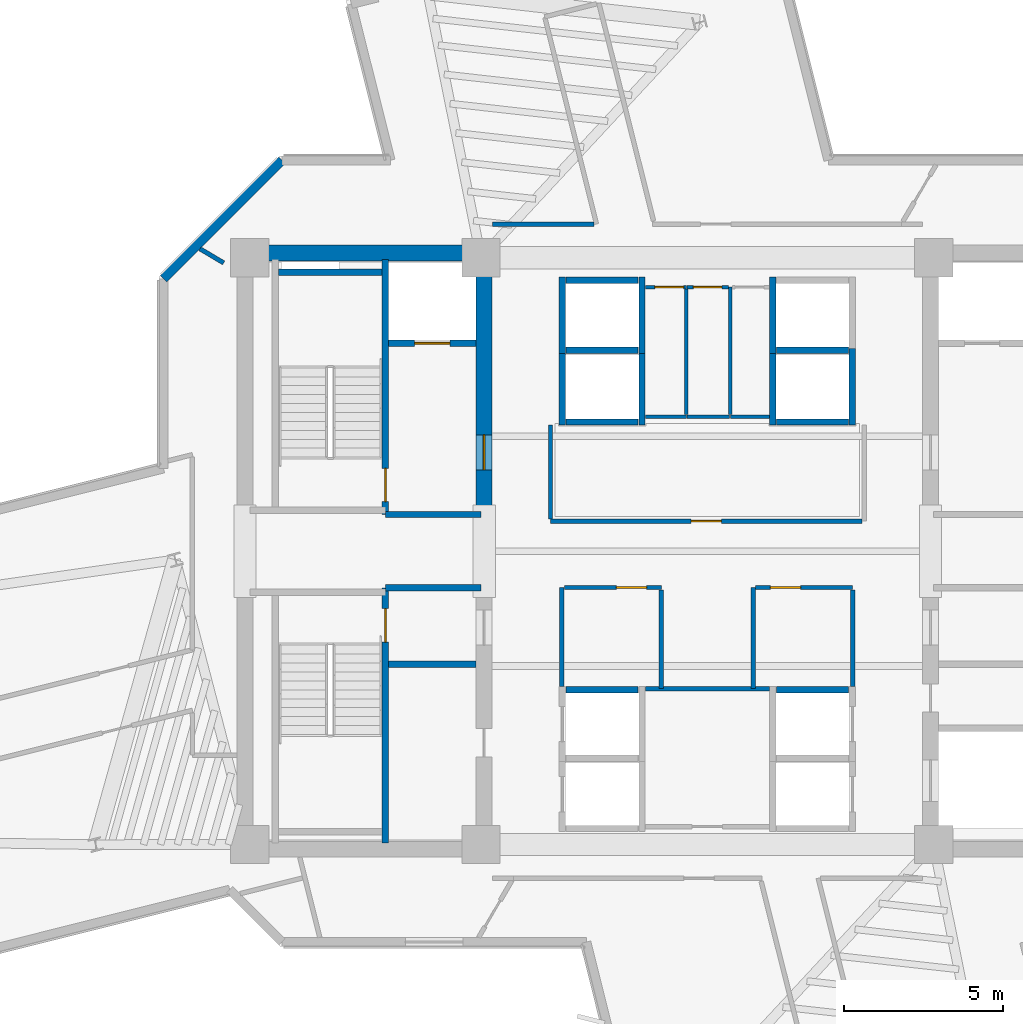
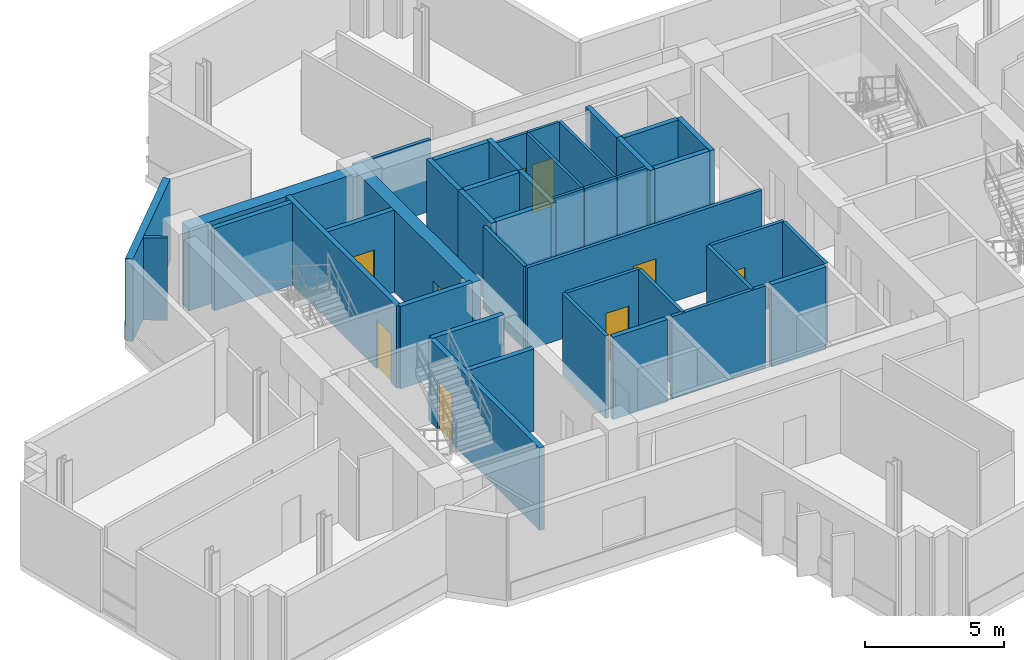
# One storey, part 7 of 13: 42 walls, 9 doors, 9 openings.
"""IFC4 building model written with IfcOpenShell, lengths in metres."""

from ifc_helpers import new_model, si_unit, direction, frame, frame_2d, origin, place, context, subcontext, project, spatial, rectangle, extrude, source, transform, mapped, material, layer, layer_set, type_object, element, fill, save


model = new_model("IFC4")

# Units and contexts
model_context = context("Model", 3, precision=1e-05, world=origin(), true_north=direction((0.0, 1.0)))
body_context = subcontext(model_context, "Body", "Model", "MODEL_VIEW")
ifc_project = project(units=[si_unit("LENGTHUNIT", "METRE"), si_unit("AREAUNIT", "SQUARE_METRE"), si_unit("VOLUMEUNIT", "CUBIC_METRE"), si_unit("PLANEANGLEUNIT", "RADIAN"), si_unit("MASSUNIT", "GRAM", prefix="KILO")], contexts=[model_context])

# Site, building, storey
site_placement = place(None, origin())
site = spatial("IfcSite", under=ifc_project, at=site_placement, CompositionType="ELEMENT")
building_placement = place(site_placement, origin())
building = spatial("IfcBuilding", under=site, at=building_placement, Name="Zahravan Cultural Tower", CompositionType="ELEMENT")
storey_placement = place(building_placement, frame((0.0, 0.0, 190.199951171875)))
storey = spatial("IfcBuildingStorey", under=building, at=storey_placement, Name="L44", CompositionType="ELEMENT", Elevation=190.199951171875)

# Wall, opening, door
ifc_material_1 = material(Name="Concrete C60/75", Category="concrete")
ifc_layer_1 = layer(ifc_material_1, 0.5)
ifc_layer_set_1 = layer_set([ifc_layer_1], Name="Concrete C60/75")
wall_type_1 = type_object("IfcWallType", Name="CW-SHEAR-500-C60", PredefinedType="SHEAR", material=ifc_layer_set_1)
wall_1_placement = place(storey_placement, frame((29.0, 28.050048828125, 0.0), z_axis=(0.0, 0.0, 1.0), x_axis=(0.0, 1.0, 0.0)))
wall_1 = element("IfcWall", 1, at=wall_1_placement, inside=storey, type_object=wall_type_1, Name="L44 Core Shear Wall CW-W-EN-L44", PredefinedType="SHEAR", context=body_context, shape_type="SweptSolid", body=[
    extrude(rectangle(XDim=8.550048828125, YDim=0.5, at=frame_2d((4.27490234375, 0.0))), origin(), (0.0, 0.0, 1.0), 3.6201171875),
])
opening_1_placement = place(wall_1_placement, frame((1.5, 0.0, 0.0)))
opening_1 = element("IfcOpeningElement", 2, at=opening_1_placement, cuts=wall_1, Name="Opening D-L44-05", PredefinedType="OPENING", context=body_context, shape_type="SweptSolid", body=[
    extrude(rectangle(XDim=1.10009765625, YDim=2.199951171875, at=frame_2d((0.550048828125, 1.10009765625))), frame((0.0, 0.260009765625, 0.0), z_axis=(0.0, -1.0, 0.0), x_axis=(1.0, 0.0, 0.0)), (0.0, 0.0, 1.0), 0.52001953125),
])
ifc_material_2 = material(Name="Steel ASTM A572 Grade 50", Category="steel")
door_type_1 = type_object("IfcDoorType", Name="DR-LOBBY-1100", OperationType="NOTDEFINED", PredefinedType="DOOR", material=ifc_material_2)
shared_shape_1 = source(origin(), body_context, "Body", "SweptSolid", [
    extrude(rectangle(XDim=1.10009765625, YDim=2.199951171875, at=frame_2d((0.550048828125, 1.10009765625))), frame((0.0, 0.02490234375, 0.0), z_axis=(0.0, -1.0, 0.0), x_axis=(1.0, 0.0, 0.0)), (0.0, 0.0, 1.0), 0.050048828125),
])
door_1_placement = place(opening_1_placement, origin())
door_1 = element("IfcDoor", 3, at=door_1_placement, inside=storey, type_object=door_type_1, Name="L44 Door D-L44-05", OperationType="SINGLE_SWING_RIGHT", OverallHeight=2.199951171875, OverallWidth=1.10009765625, PredefinedType="DOOR", context=body_context, shape_type="MappedRepresentation", body=[
    mapped(shared_shape_1, transform((0.0, 0.0, 0.0), x_axis=(1.0, 0.0, 0.0), y_axis=(0.0, 1.0, 0.0), z_axis=(0.0, 0.0, 1.0), scale=1.0)),
])
fill(opening_1, door_1)

ifc_material_3 = material(Name="Gypsum plasterboard partition")
ifc_layer_2 = layer(ifc_material_3, 0.139892578125)
ifc_layer_set_2 = layer_set([ifc_layer_2], Name="Gypsum plasterboard partition")
wall_type_2 = type_object("IfcWallType", Name="W-PART-140", PredefinedType="PARTITIONING", material=ifc_layer_set_2)
wall_2_placement = place(storey_placement, frame((31.514892578125, 25.860107421875, 0.0), z_axis=(0.0, 0.0, 1.0), x_axis=(1.0, 0.0, 0.0)))
wall_2 = element("IfcWall", 4, at=wall_2_placement, inside=storey, type_object=wall_type_2, Name="L44 Interior Wall 063", PredefinedType="PARTITIONING", context=body_context, shape_type="SweptSolid", body=[
    extrude(rectangle(XDim=3.045166015625, YDim=0.139892578125, at=frame_2d((1.5224609375, 0.0))), origin(), (0.0, 0.0, 1.0), 3.6201171875),
])
opening_2_placement = place(wall_2_placement, frame((1.634033203125, 0.0, 0.0)))
opening_2 = element("IfcOpeningElement", 5, at=opening_2_placement, cuts=wall_2, Name="Opening D-L44-11", PredefinedType="OPENING", context=body_context, shape_type="SweptSolid", body=[
    extrude(rectangle(XDim=0.949951171875, YDim=2.14990234375, at=frame_2d((0.47509765625, 1.074951171875))), frame((0.0, 0.079833984375, 0.0), z_axis=(0.0, -1.0, 0.0), x_axis=(1.0, 0.0, 0.0)), (0.0, 0.0, 1.0), 0.159912109375),
])
ifc_material_4 = material(Name="Anodised bronze-aluminium mullion", Category="aluminium")
door_type_2 = type_object("IfcDoorType", Name="DR-ROOM-950", OperationType="NOTDEFINED", PredefinedType="DOOR", material=ifc_material_4)
shared_shape_2 = source(origin(), body_context, "Body", "SweptSolid", [
    extrude(rectangle(XDim=0.949951171875, YDim=2.14990234375, at=frame_2d((0.47509765625, 1.074951171875))), frame((0.0, 0.02490234375, 0.0), z_axis=(0.0, -1.0, 0.0), x_axis=(1.0, 0.0, 0.0)), (0.0, 0.0, 1.0), 0.050048828125),
])
door_2_placement = place(opening_2_placement, origin())
door_2 = element("IfcDoor", 6, at=door_2_placement, inside=storey, type_object=door_type_2, Name="L44 Door D-L44-11", OperationType="SINGLE_SWING_RIGHT", OverallHeight=2.14990234375, OverallWidth=0.949951171875, PredefinedType="DOOR", context=body_context, shape_type="MappedRepresentation", body=[
    mapped(shared_shape_2, transform((0.0, 0.0, 0.0), x_axis=(1.0, 0.0, 0.0), y_axis=(0.0, 1.0, 0.0), z_axis=(0.0, 0.0, 1.0), scale=1.0)),
])
fill(opening_2, door_2)

wall_3_placement = place(storey_placement, frame((37.514892578125, 25.860107421875, 0.0), z_axis=(0.0, 0.0, 1.0), x_axis=(1.0, 0.0, 0.0)))
wall_3 = element("IfcWall", 7, at=wall_3_placement, inside=storey, type_object=wall_type_2, Name="L44 Interior Wall 066", PredefinedType="PARTITIONING", context=body_context, shape_type="SweptSolid", body=[
    extrude(rectangle(XDim=3.045166015625, YDim=0.139892578125, at=frame_2d((1.5224609375, 0.0))), origin(), (0.0, 0.0, 1.0), 3.6201171875),
])
opening_3_placement = place(wall_3_placement, frame((0.4609375, 0.0, 0.0)))
opening_3 = element("IfcOpeningElement", 8, at=opening_3_placement, cuts=wall_3, Name="Opening D-L44-12", PredefinedType="OPENING", context=body_context, shape_type="SweptSolid", body=[
    extrude(rectangle(XDim=0.949951171875, YDim=2.14990234375, at=frame_2d((0.47509765625, 1.074951171875))), frame((0.0, 0.079833984375, 0.0), z_axis=(0.0, -1.0, 0.0), x_axis=(1.0, 0.0, 0.0)), (0.0, 0.0, 1.0), 0.159912109375),
])
door_3_placement = place(opening_3_placement, origin())
door_3 = element("IfcDoor", 9, at=door_3_placement, inside=storey, type_object=door_type_2, Name="L44 Door D-L44-12", OperationType="SINGLE_SWING_LEFT", OverallHeight=2.14990234375, OverallWidth=0.949951171875, PredefinedType="DOOR", context=body_context, shape_type="MappedRepresentation", body=[
    mapped(shared_shape_2, transform((0.0, 0.0, 0.0), x_axis=(1.0, 0.0, 0.0), y_axis=(0.0, 1.0, 0.0), z_axis=(0.0, 0.0, 1.0), scale=1.0)),
])
fill(opening_3, door_3)

wall_4_placement = place(storey_placement, frame((40.844970703125, 27.93994140625, 0.0), z_axis=(0.0, 0.0, 1.0), x_axis=(-1.0, 0.0, 0.0)))
wall_4 = element("IfcWall", 10, at=wall_4_placement, inside=storey, type_object=wall_type_2, Name="L44 Interior Wall 077", PredefinedType="PARTITIONING", context=body_context, shape_type="SweptSolid", body=[
    extrude(rectangle(XDim=9.764892578125, YDim=0.139892578125, at=frame_2d((4.88232421875, 0.0))), origin(), (0.0, 0.0, 1.0), 3.6201171875),
])
opening_4_placement = place(wall_4_placement, frame((4.407470703125, 0.0, 0.0)))
opening_4 = element("IfcOpeningElement", 11, at=opening_4_placement, cuts=wall_4, Name="Opening D-L44-16", PredefinedType="OPENING", context=body_context, shape_type="SweptSolid", body=[
    extrude(rectangle(XDim=0.949951171875, YDim=2.14990234375, at=frame_2d((0.47509765625, 1.074951171875))), frame((0.0, 0.079833984375, 0.0), z_axis=(0.0, -1.0, 0.0), x_axis=(1.0, 0.0, 0.0)), (0.0, 0.0, 1.0), 0.159912109375),
])
door_4_placement = place(opening_4_placement, origin())
door_4 = element("IfcDoor", 12, at=door_4_placement, inside=storey, type_object=door_type_2, Name="L44 Door D-L44-16", OperationType="SINGLE_SWING_LEFT", OverallHeight=2.14990234375, OverallWidth=0.949951171875, PredefinedType="DOOR", context=body_context, shape_type="MappedRepresentation", body=[
    mapped(shared_shape_2, transform((0.0, 0.0, 0.0), x_axis=(1.0, 0.0, 0.0), y_axis=(0.0, 1.0, 0.0), z_axis=(0.0, 0.0, 1.0), scale=1.0)),
])
fill(opening_4, door_4)

ifc_material_5 = material(Name="Concrete C45/55", Category="concrete")
ifc_layer_3 = layer(ifc_material_5, 0.199951171875)
ifc_layer_set_3 = layer_set([ifc_layer_3], Name="Concrete C45/55")
wall_type_3 = type_object("IfcWallType", Name="W-SHAFT-200", PredefinedType="SOLIDWALL", material=ifc_layer_set_3)
wall_5_placement = place(storey_placement, frame((25.89990234375, 17.85009765625, 0.0), z_axis=(0.0, 0.0, 1.0), x_axis=(0.0, 1.0, 0.0)))
wall_5 = element("IfcWall", 13, at=wall_5_placement, inside=storey, type_object=wall_type_3, Name="L44 Interior Wall 005", PredefinedType="SOLIDWALL", context=body_context, shape_type="SweptSolid", body=[
    extrude(rectangle(XDim=8.0, YDim=0.199951171875, at=frame_2d((4.0, 0.0))), origin(), (0.0, 0.0, 1.0), 3.6201171875),
])
opening_5_placement = place(wall_5_placement, frame((6.300048828125, 0.0, 0.0)))
opening_5 = element("IfcOpeningElement", 14, at=opening_5_placement, cuts=wall_5, Name="Opening D-L44-04", PredefinedType="OPENING", context=body_context, shape_type="SweptSolid", body=[
    extrude(rectangle(XDim=1.050048828125, YDim=2.14990234375, at=frame_2d((0.52490234375, 1.074951171875))), frame((0.0, 0.10986328125, 0.0), z_axis=(0.0, -1.0, 0.0), x_axis=(1.0, 0.0, 0.0)), (0.0, 0.0, 1.0), 0.219970703125),
])
door_type_3 = type_object("IfcDoorType", Name="DR-STAIR-1050", OperationType="NOTDEFINED", PredefinedType="DOOR", material=ifc_material_2)
shared_shape_3 = source(origin(), body_context, "Body", "SweptSolid", [
    extrude(rectangle(XDim=1.050048828125, YDim=2.14990234375, at=frame_2d((0.52490234375, 1.074951171875))), frame((0.0, 0.02490234375, 0.0), z_axis=(0.0, -1.0, 0.0), x_axis=(1.0, 0.0, 0.0)), (0.0, 0.0, 1.0), 0.050048828125),
])
door_5_placement = place(opening_5_placement, origin())
door_5 = element("IfcDoor", 15, at=door_5_placement, inside=storey, type_object=door_type_3, Name="L44 Door D-L44-04", OperationType="SINGLE_SWING_LEFT", OverallHeight=2.14990234375, OverallWidth=1.050048828125, PredefinedType="DOOR", context=body_context, shape_type="MappedRepresentation", body=[
    mapped(shared_shape_3, transform((0.0, 0.0, 0.0), x_axis=(1.0, 0.0, 0.0), y_axis=(0.0, 1.0, 0.0), z_axis=(0.0, 0.0, 1.0), scale=1.0)),
])
fill(opening_5, door_5)

wall_6_placement = place(storey_placement, frame((25.89990234375, 28.14990234375, 0.0), z_axis=(0.0, 0.0, 1.0), x_axis=(0.0, 1.0, 0.0)))
wall_6 = element("IfcWall", 16, at=wall_6_placement, inside=storey, type_object=wall_type_3, Name="L44 Interior Wall 006", PredefinedType="SOLIDWALL", context=body_context, shape_type="SweptSolid", body=[
    extrude(rectangle(XDim=8.0, YDim=0.199951171875, at=frame_2d((4.0, 0.0))), origin(), (0.0, 0.0, 1.0), 3.6201171875),
])
opening_6_placement = place(wall_6_placement, frame((0.39990234375, 0.0, 0.0)))
opening_6 = element("IfcOpeningElement", 17, at=opening_6_placement, cuts=wall_6, Name="Opening D-L44-01", PredefinedType="OPENING", context=body_context, shape_type="SweptSolid", body=[
    extrude(rectangle(XDim=1.050048828125, YDim=2.14990234375, at=frame_2d((0.52490234375, 1.074951171875))), frame((0.0, 0.10986328125, 0.0), z_axis=(0.0, -1.0, 0.0), x_axis=(1.0, 0.0, 0.0)), (0.0, 0.0, 1.0), 0.219970703125),
])
door_6_placement = place(opening_6_placement, origin())
door_6 = element("IfcDoor", 18, at=door_6_placement, inside=storey, type_object=door_type_3, Name="L44 Door D-L44-01", OperationType="SINGLE_SWING_RIGHT", OverallHeight=2.14990234375, OverallWidth=1.050048828125, PredefinedType="DOOR", context=body_context, shape_type="MappedRepresentation", body=[
    mapped(shared_shape_3, transform((0.0, 0.0, 0.0), x_axis=(1.0, 0.0, 0.0), y_axis=(0.0, 1.0, 0.0), z_axis=(0.0, 0.0, 1.0), scale=1.0)),
])
fill(opening_6, door_6)

wall_7_placement = place(storey_placement, frame((26.0, 33.52001953125, 0.0), z_axis=(0.0, 0.0, 1.0), x_axis=(1.0, 0.0, 0.0)))
wall_7 = element("IfcWall", 19, at=wall_7_placement, inside=storey, type_object=wall_type_3, Name="L44 Interior Wall 021", PredefinedType="SOLIDWALL", context=body_context, shape_type="SweptSolid", body=[
    extrude(rectangle(XDim=2.75, YDim=0.199951171875, at=frame_2d((1.375, 0.0))), origin(), (0.0, 0.0, 1.0), 3.6201171875),
])
opening_7_placement = place(wall_7_placement, frame((0.820068359375, 0.0, 0.0)))
opening_7 = element("IfcOpeningElement", 20, at=opening_7_placement, cuts=wall_7, Name="Opening LD-L44-01", PredefinedType="OPENING", context=body_context, shape_type="SweptSolid", body=[
    extrude(rectangle(XDim=1.10009765625, YDim=2.14990234375, at=frame_2d((0.550048828125, 1.074951171875))), frame((0.0, 0.10986328125, 0.0), z_axis=(0.0, -1.0, 0.0), x_axis=(1.0, 0.0, 0.0)), (0.0, 0.0, 1.0), 0.219970703125),
])
door_type_4 = type_object("IfcDoorType", Name="DR-LIFT-1100", OperationType="DOUBLE_DOOR_SLIDING", PredefinedType="DOOR", material=ifc_material_2)
shared_shape_4 = source(origin(), body_context, "Body", "SweptSolid", [
    extrude(rectangle(XDim=1.10009765625, YDim=2.14990234375, at=frame_2d((0.550048828125, 1.074951171875))), frame((0.0, 0.02490234375, 0.0), z_axis=(0.0, -1.0, 0.0), x_axis=(1.0, 0.0, 0.0)), (0.0, 0.0, 1.0), 0.050048828125),
])
door_7_placement = place(opening_7_placement, origin())
door_7 = element("IfcDoor", 21, at=door_7_placement, inside=storey, type_object=door_type_4, Name="L44 Door LD-L44-01", OperationType="DOUBLE_DOOR_SLIDING", OverallHeight=2.14990234375, OverallWidth=1.10009765625, PredefinedType="DOOR", context=body_context, shape_type="MappedRepresentation", body=[
    mapped(shared_shape_4, transform((0.0, 0.0, 0.0), x_axis=(1.0, 0.0, 0.0), y_axis=(0.0, 1.0, 0.0), z_axis=(0.0, 0.0, 1.0), scale=1.0)),
])
fill(opening_7, door_7)

ifc_layer_4 = layer(ifc_material_3, 0.114990234375)
ifc_layer_set_4 = layer_set([ifc_layer_4], Name="Gypsum plasterboard partition")
wall_type_4 = type_object("IfcWallType", Name="W-WC-115", PredefinedType="PARTITIONING", material=ifc_layer_set_4)
wall_8_placement = place(storey_placement, frame((34.054931640625, 35.280029296875, 0.0), z_axis=(0.0, 0.0, 1.0), x_axis=(1.0, 0.0, 0.0)))
wall_8 = element("IfcWall", 22, at=wall_8_placement, inside=storey, type_object=wall_type_4, Name="L44 Interior Wall 058", PredefinedType="PARTITIONING", context=body_context, shape_type="SweptSolid", body=[
    extrude(rectangle(XDim=1.28515625, YDim=0.114990234375, at=frame_2d((0.642578125, 0.0))), origin(), (0.0, 0.0, 1.0), 3.6201171875),
])
opening_8_placement = place(wall_8_placement, frame((0.30029296875, 0.0, 0.0)))
opening_8 = element("IfcOpeningElement", 23, at=opening_8_placement, cuts=wall_8, Name="Opening D-L44-13", PredefinedType="OPENING", context=body_context, shape_type="SweptSolid", body=[
    extrude(rectangle(XDim=0.89990234375, YDim=2.10009765625, at=frame_2d((0.449951171875, 1.050048828125))), frame((0.0, 0.0673828125, 0.0), z_axis=(0.0, -1.0, 0.0), x_axis=(1.0, 0.0, 0.0)), (0.0, 0.0, 1.0), 0.135009765625),
])
door_type_5 = type_object("IfcDoorType", Name="DR-WC-900", OperationType="NOTDEFINED", PredefinedType="DOOR", material=ifc_material_4)
shared_shape_5 = source(origin(), body_context, "Body", "SweptSolid", [
    extrude(rectangle(XDim=0.89990234375, YDim=2.10009765625, at=frame_2d((0.449951171875, 1.050048828125))), frame((0.0, 0.02490234375, 0.0), z_axis=(0.0, -1.0, 0.0), x_axis=(1.0, 0.0, 0.0)), (0.0, 0.0, 1.0), 0.050048828125),
])
door_8_placement = place(opening_8_placement, origin())
door_8 = element("IfcDoor", 24, at=door_8_placement, inside=storey, type_object=door_type_5, Name="L44 Door D-L44-13", OperationType="SINGLE_SWING_RIGHT", OverallHeight=2.10009765625, OverallWidth=0.89990234375, PredefinedType="DOOR", context=body_context, shape_type="MappedRepresentation", body=[
    mapped(shared_shape_5, transform((0.0, 0.0, 0.0), x_axis=(1.0, 0.0, 0.0), y_axis=(0.0, 1.0, 0.0), z_axis=(0.0, 0.0, 1.0), scale=1.0)),
])
fill(opening_8, door_8)

wall_9_placement = place(storey_placement, frame((35.360107421875, 35.280029296875, 0.0), z_axis=(0.0, 0.0, 1.0), x_axis=(1.0, 0.0, 0.0)))
wall_9 = element("IfcWall", 25, at=wall_9_placement, inside=storey, type_object=wall_type_4, Name="L44 Interior Wall 061", PredefinedType="PARTITIONING", context=body_context, shape_type="SweptSolid", body=[
    extrude(rectangle(XDim=1.29736328125, YDim=0.114990234375, at=frame_2d((0.648681640625, 0.0))), origin(), (0.0, 0.0, 1.0), 3.6201171875),
])
opening_9_placement = place(wall_9_placement, frame((0.19873046875, 0.0, 0.0)))
opening_9 = element("IfcOpeningElement", 26, at=opening_9_placement, cuts=wall_9, Name="Opening D-L44-14", PredefinedType="OPENING", context=body_context, shape_type="SweptSolid", body=[
    extrude(rectangle(XDim=0.89990234375, YDim=2.10009765625, at=frame_2d((0.449951171875, 1.050048828125))), frame((0.0, 0.0673828125, 0.0), z_axis=(0.0, -1.0, 0.0), x_axis=(1.0, 0.0, 0.0)), (0.0, 0.0, 1.0), 0.135009765625),
])
door_9_placement = place(opening_9_placement, origin())
door_9 = element("IfcDoor", 27, at=door_9_placement, inside=storey, type_object=door_type_5, Name="L44 Door D-L44-14", OperationType="SINGLE_SWING_LEFT", OverallHeight=2.10009765625, OverallWidth=0.89990234375, PredefinedType="DOOR", context=body_context, shape_type="MappedRepresentation", body=[
    mapped(shared_shape_5, transform((0.0, 0.0, 0.0), x_axis=(1.0, 0.0, 0.0), y_axis=(0.0, 1.0, 0.0), z_axis=(0.0, 0.0, 1.0), scale=1.0)),
])
fill(opening_9, door_9)

# Walls
shared_shape_6 = source(origin(), body_context, "Body", "SweptSolid", [
    extrude(rectangle(XDim=7.0, YDim=0.5, at=frame_2d((3.5, 0.0))), origin(), (0.0, 0.0, 1.0), 3.6201171875),
])
wall_10_placement = place(storey_placement, frame((21.75, 36.35009765625, 0.0), z_axis=(0.0, 0.0, 1.0), x_axis=(1.0, 0.0, 0.0)))
element("IfcWall", 28, at=wall_10_placement, inside=storey, type_object=wall_type_1, Name="L44 Core Shear Wall CW-W-N-L44", PredefinedType="SHEAR", context=body_context, shape_type="MappedRepresentation", body=[
    mapped(shared_shape_6, transform((0.0, 0.0, 0.0), x_axis=(1.0, 0.0, 0.0), y_axis=(0.0, 1.0, 0.0), z_axis=(0.0, 0.0, 1.0), scale=1.0)),
])
ifc_material_6 = material(Name="Precast concrete C40/50", Category="concrete")
ifc_layer_5 = layer(ifc_material_6, 0.280029296875)
ifc_layer_set_5 = layer_set([ifc_layer_5], Name="Precast concrete C40/50")
wall_type_5 = type_object("IfcWallType", Name="EW-TC-280", PredefinedType="SOLIDWALL", material=ifc_layer_set_5)
shared_shape_7 = source(origin(), body_context, "Body", "SweptSolid", [
    extrude(rectangle(XDim=5.258056640625, YDim=0.280029296875, at=frame_2d((2.62890625, 0.0))), origin(), (0.0, 0.0, 1.0), 3.6201171875),
])
wall_11_placement = place(storey_placement, frame((18.93994140625, 35.5419921875, 0.0), z_axis=(0.0, 0.0, 1.0), x_axis=(0.707106781187, 0.707106781187, 0.0)))
element("IfcWall", 29, at=wall_11_placement, inside=storey, type_object=wall_type_5, Name="L44 Exterior Masonry Frame Wall 38", PredefinedType="SOLIDWALL", context=body_context, shape_type="MappedRepresentation", body=[
    mapped(shared_shape_7, transform((0.0, 0.0, 0.0), x_axis=(1.0, 0.0, 0.0), y_axis=(0.0, 1.0, 0.0), z_axis=(0.0, 0.0, 1.0), scale=1.0)),
])
shared_shape_8 = source(origin(), body_context, "Body", "SweptSolid", [
    extrude(rectangle(XDim=3.0, YDim=0.199951171875, at=frame_2d((1.5, 0.0))), origin(), (0.0, 0.0, 1.0), 3.6201171875),
])
for number, where, z_axis, x_axis, name in (
    (30, (25.89990234375, 25.85009765625, 0.0), (0.0, 0.0, 1.0), (1.0, 0.0, 0.0), "L44 Interior Wall 010"),
    (31, (25.89990234375, 28.14990234375, 0.0), (0.0, 0.0, 1.0), (1.0, 0.0, 0.0), "L44 Interior Wall 012"),
):
    element("IfcWall", number, at=place(storey_placement, frame(where, z_axis=z_axis, x_axis=x_axis)), inside=storey, type_object=wall_type_3, Name=name, PredefinedType="SOLIDWALL", context=body_context, shape_type="MappedRepresentation", body=[
        mapped(shared_shape_8, transform((0.0, 0.0, 0.0), x_axis=(1.0, 0.0, 0.0), y_axis=(0.0, 1.0, 0.0), z_axis=(0.0, 0.0, 1.0), scale=1.0)),
    ])
shared_shape_9 = source(origin(), body_context, "Body", "SweptSolid", [
    extrude(rectangle(XDim=3.25, YDim=0.199951171875, at=frame_2d((1.625, 0.0))), origin(), (0.0, 0.0, 1.0), 3.6201171875),
])
wall_12_placement = place(storey_placement, frame((22.550048828125, 35.75, 0.0), z_axis=(0.0, 0.0, 1.0), x_axis=(1.0, 0.0, 0.0)))
element("IfcWall", 32, at=wall_12_placement, inside=storey, type_object=wall_type_3, Name="L44 Interior Wall 017", PredefinedType="SOLIDWALL", context=body_context, shape_type="MappedRepresentation", body=[
    mapped(shared_shape_9, transform((0.0, 0.0, 0.0), x_axis=(1.0, 0.0, 0.0), y_axis=(0.0, 1.0, 0.0), z_axis=(0.0, 0.0, 1.0), scale=1.0)),
])
shared_shape_10 = source(origin(), body_context, "Body", "SweptSolid", [
    extrude(rectangle(XDim=2.75, YDim=0.199951171875, at=frame_2d((1.375, 0.0))), origin(), (0.0, 0.0, 1.0), 3.6201171875),
])
wall_13_placement = place(storey_placement, frame((26.0, 23.449951171875, 0.0), z_axis=(0.0, 0.0, 1.0), x_axis=(1.0, 0.0, 0.0)))
element("IfcWall", 33, at=wall_13_placement, inside=storey, type_object=wall_type_3, Name="L44 Interior Wall 023", PredefinedType="SOLIDWALL", context=body_context, shape_type="MappedRepresentation", body=[
    mapped(shared_shape_10, transform((0.0, 0.0, 0.0), x_axis=(1.0, 0.0, 0.0), y_axis=(0.0, 1.0, 0.0), z_axis=(0.0, 0.0, 1.0), scale=1.0)),
])
shared_shape_11 = source(origin(), body_context, "Body", "SweptSolid", [
    extrude(rectangle(XDim=2.400146484375, YDim=0.199951171875, at=frame_2d((1.2001953125, 0.0))), origin(), (0.0, 0.0, 1.0), 3.6201171875),
])
for number, where, z_axis, x_axis, name in (
    (34, (31.449951171875, 33.199951171875, 0.0), (0.0, 0.0, 1.0), (0.0, 1.0, 0.0), "L44 Interior Wall 026"),
    (35, (33.949951171875, 33.199951171875, 0.0), (0.0, 0.0, 1.0), (0.0, 1.0, 0.0), "L44 Interior Wall 027"),
    (36, (31.449951171875, 30.949951171875, 0.0), (0.0, 0.0, 1.0), (0.0, 1.0, 0.0), "L44 Interior Wall 030"),
    (37, (33.949951171875, 30.949951171875, 0.0), (0.0, 0.0, 1.0), (0.0, 1.0, 0.0), "L44 Interior Wall 031"),
    (38, (38.050048828125, 33.199951171875, 0.0), (0.0, 0.0, 1.0), (0.0, 1.0, 0.0), "L44 Interior Wall 033"),
    (39, (38.050048828125, 30.949951171875, 0.0), (0.0, 0.0, 1.0), (0.0, 1.0, 0.0), "L44 Interior Wall 037"),
    (40, (40.550048828125, 30.949951171875, 0.0), (0.0, 0.0, 1.0), (0.0, 1.0, 0.0), "L44 Interior Wall 038"),
):
    element("IfcWall", number, at=place(storey_placement, frame(where, z_axis=z_axis, x_axis=x_axis)), inside=storey, type_object=wall_type_3, Name=name, PredefinedType="SOLIDWALL", context=body_context, shape_type="MappedRepresentation", body=[
        mapped(shared_shape_11, transform((0.0, 0.0, 0.0), x_axis=(1.0, 0.0, 0.0), y_axis=(0.0, 1.0, 0.0), z_axis=(0.0, 0.0, 1.0), scale=1.0)),
    ])
shared_shape_12 = source(origin(), body_context, "Body", "SweptSolid", [
    extrude(rectangle(XDim=2.260009765625, YDim=0.199951171875, at=frame_2d((1.1298828125, 0.0))), origin(), (0.0, 0.0, 1.0), 3.6201171875),
])
for number, where, z_axis, x_axis, name in (
    (41, (31.570068359375, 33.300048828125, 0.0), (0.0, 0.0, 1.0), (1.0, 0.0, 0.0), "L44 Interior Wall 028"),
    (42, (31.570068359375, 35.5, 0.0), (0.0, 0.0, 1.0), (1.0, 0.0, 0.0), "L44 Interior Wall 029"),
    (43, (31.570068359375, 31.050048828125, 0.0), (0.0, 0.0, 1.0), (1.0, 0.0, 0.0), "L44 Interior Wall 032"),
    (44, (38.169921875, 33.300048828125, 0.0), (0.0, 0.0, 1.0), (1.0, 0.0, 0.0), "L44 Interior Wall 035"),
    (45, (38.169921875, 31.050048828125, 0.0), (0.0, 0.0, 1.0), (1.0, 0.0, 0.0), "L44 Interior Wall 039"),
    (46, (31.570068359375, 22.64990234375, 0.0), (0.0, 0.0, 1.0), (1.0, 0.0, 0.0), "L44 Interior Wall 043"),
    (47, (38.169921875, 22.64990234375, 0.0), (0.0, 0.0, 1.0), (1.0, 0.0, 0.0), "L44 Interior Wall 050"),
):
    element("IfcWall", number, at=place(storey_placement, frame(where, z_axis=z_axis, x_axis=x_axis)), inside=storey, type_object=wall_type_3, Name=name, PredefinedType="SOLIDWALL", context=body_context, shape_type="MappedRepresentation", body=[
        mapped(shared_shape_12, transform((0.0, 0.0, 0.0), x_axis=(1.0, 0.0, 0.0), y_axis=(0.0, 1.0, 0.0), z_axis=(0.0, 0.0, 1.0), scale=1.0)),
    ])
shared_shape_13 = source(origin(), body_context, "Body", "SweptSolid", [
    extrude(rectangle(XDim=3.110107421875, YDim=0.139892578125, at=frame_2d((1.55517578125, 0.0))), origin(), (0.0, 0.0, 1.0), 3.6201171875),
])
wall_14_placement = place(storey_placement, frame((31.43994140625, 22.75, 0.0), z_axis=(0.0, 0.0, 1.0), x_axis=(0.0, 1.0, 0.0)))
element("IfcWall", 48, at=wall_14_placement, inside=storey, type_object=wall_type_2, Name="L44 Interior Wall 062", PredefinedType="PARTITIONING", context=body_context, shape_type="MappedRepresentation", body=[
    mapped(shared_shape_13, transform((0.0, 0.0, 0.0), x_axis=(1.0, 0.0, 0.0), y_axis=(0.0, 1.0, 0.0), z_axis=(0.0, 0.0, 1.0), scale=1.0)),
])
shared_shape_14 = source(origin(), body_context, "Body", "SweptSolid", [
    extrude(rectangle(XDim=3.034912109375, YDim=0.139892578125, at=frame_2d((1.517578125, 0.0))), origin(), (0.0, 0.0, 1.0), 3.6201171875),
])
wall_15_placement = place(storey_placement, frame((40.56005859375, 25.784912109375, 0.0), z_axis=(0.0, 0.0, 1.0), x_axis=(0.0, -1.0, 0.0)))
element("IfcWall", 49, at=wall_15_placement, inside=storey, type_object=wall_type_2, Name="L44 Interior Wall 067", PredefinedType="PARTITIONING", context=body_context, shape_type="MappedRepresentation", body=[
    mapped(shared_shape_14, transform((0.0, 0.0, 0.0), x_axis=(1.0, 0.0, 0.0), y_axis=(0.0, 1.0, 0.0), z_axis=(0.0, 0.0, 1.0), scale=1.0)),
])
shared_shape_15 = source(origin(), body_context, "Body", "SweptSolid", [
    extrude(rectangle(XDim=2.93505859375, YDim=0.139892578125, at=frame_2d((1.467529296875, 0.0))), origin(), (0.0, 0.0, 1.0), 3.6201171875),
])
wall_16_placement = place(storey_placement, frame((31.080078125, 28.014892578125, 0.0), z_axis=(0.0, 0.0, 1.0), x_axis=(0.0, 1.0, 0.0)))
element("IfcWall", 50, at=wall_16_placement, inside=storey, type_object=wall_type_2, Name="L44 Interior Wall 078", PredefinedType="PARTITIONING", context=body_context, shape_type="MappedRepresentation", body=[
    mapped(shared_shape_15, transform((0.0, 0.0, 0.0), x_axis=(1.0, 0.0, 0.0), y_axis=(0.0, 1.0, 0.0), z_axis=(0.0, 0.0, 1.0), scale=1.0)),
])
shared_shape_16 = source(origin(), body_context, "Body", "SweptSolid", [
    extrude(rectangle(XDim=1.22509765625, YDim=0.114990234375, at=frame_2d((0.612548828125, 0.0))), origin(), (0.0, 0.0, 1.0), 3.6201171875),
])
wall_17_placement = place(storey_placement, frame((37.945068359375, 31.219970703125, 0.0), z_axis=(0.0, 0.0, 1.0), x_axis=(-1.0, 0.0, 0.0)))
element("IfcWall", 51, at=wall_17_placement, inside=storey, type_object=wall_type_4, Name="L44 Interior Wall 054", PredefinedType="PARTITIONING", context=body_context, shape_type="MappedRepresentation", body=[
    mapped(shared_shape_16, transform((0.0, 0.0, 0.0), x_axis=(1.0, 0.0, 0.0), y_axis=(0.0, 1.0, 0.0), z_axis=(0.0, 0.0, 1.0), scale=1.0)),
])
shared_shape_17 = source(origin(), body_context, "Body", "SweptSolid", [
    extrude(rectangle(XDim=3.99755859375, YDim=0.114990234375, at=frame_2d((1.998779296875, 0.0))), origin(), (0.0, 0.0, 1.0), 3.6201171875),
])
wall_18_placement = place(storey_placement, frame((36.719970703125, 31.282470703125, 0.0), z_axis=(0.0, 0.0, 1.0), x_axis=(0.0, 1.0, 0.0)))
element("IfcWall", 52, at=wall_18_placement, inside=storey, type_object=wall_type_4, Name="L44 Interior Wall 055", PredefinedType="PARTITIONING", context=body_context, shape_type="MappedRepresentation", body=[
    mapped(shared_shape_17, transform((0.0, 0.0, 0.0), x_axis=(1.0, 0.0, 0.0), y_axis=(0.0, 1.0, 0.0), z_axis=(0.0, 0.0, 1.0), scale=1.0)),
])
shared_shape_18 = source(origin(), body_context, "Body", "SweptSolid", [
    extrude(rectangle(XDim=1.28515625, YDim=0.114990234375, at=frame_2d((0.642578125, 0.0))), origin(), (0.0, 0.0, 1.0), 3.6201171875),
])
wall_19_placement = place(storey_placement, frame((35.340087890625, 31.219970703125, 0.0), z_axis=(0.0, 0.0, 1.0), x_axis=(-1.0, 0.0, 0.0)))
element("IfcWall", 53, at=wall_19_placement, inside=storey, type_object=wall_type_4, Name="L44 Interior Wall 057", PredefinedType="PARTITIONING", context=body_context, shape_type="MappedRepresentation", body=[
    mapped(shared_shape_18, transform((0.0, 0.0, 0.0), x_axis=(1.0, 0.0, 0.0), y_axis=(0.0, 1.0, 0.0), z_axis=(0.0, 0.0, 1.0), scale=1.0)),
])
shared_shape_19 = source(origin(), body_context, "Body", "SweptSolid", [
    extrude(rectangle(XDim=3.93505859375, YDim=0.114990234375, at=frame_2d((1.967529296875, 0.0))), origin(), (0.0, 0.0, 1.0), 3.6201171875),
])
wall_20_placement = place(storey_placement, frame((35.340087890625, 35.217529296875, 0.0), z_axis=(0.0, 0.0, 1.0), x_axis=(0.0, -1.0, 0.0)))
element("IfcWall", 54, at=wall_20_placement, inside=storey, type_object=wall_type_4, Name="L44 Interior Wall 059", PredefinedType="PARTITIONING", context=body_context, shape_type="MappedRepresentation", body=[
    mapped(shared_shape_19, transform((0.0, 0.0, 0.0), x_axis=(1.0, 0.0, 0.0), y_axis=(0.0, 1.0, 0.0), z_axis=(0.0, 0.0, 1.0), scale=1.0)),
])
shared_shape_20 = source(origin(), body_context, "Body", "SweptSolid", [
    extrude(rectangle(XDim=1.33984375, YDim=0.114990234375, at=frame_2d((0.669921875, 0.0))), origin(), (0.0, 0.0, 1.0), 3.6201171875),
])
wall_21_placement = place(storey_placement, frame((36.699951171875, 31.219970703125, 0.0), z_axis=(0.0, 0.0, 1.0), x_axis=(-1.0, 0.0, 0.0)))
element("IfcWall", 55, at=wall_21_placement, inside=storey, type_object=wall_type_4, Name="L44 Interior Wall 060", PredefinedType="PARTITIONING", context=body_context, shape_type="MappedRepresentation", body=[
    mapped(shared_shape_20, transform((0.0, 0.0, 0.0), x_axis=(1.0, 0.0, 0.0), y_axis=(0.0, 1.0, 0.0), z_axis=(0.0, 0.0, 1.0), scale=1.0)),
])
shared_shape_21 = source(origin(), body_context, "Body", "SweptSolid", [
    extrude(rectangle(XDim=3.094970703125, YDim=0.139892578125, at=frame_2d((1.54736328125, 0.0))), origin(), (0.0, 0.0, 1.0), 3.6201171875),
])
wall_22_placement = place(storey_placement, frame((34.56005859375, 25.784912109375, 0.0), z_axis=(0.0, 0.0, 1.0), x_axis=(0.0, -1.0, 0.0)))
element("IfcWall", 56, at=wall_22_placement, inside=storey, type_object=wall_type_2, Name="L44 Interior Wall 064", PredefinedType="PARTITIONING", context=body_context, shape_type="MappedRepresentation", body=[
    mapped(shared_shape_21, transform((0.0, 0.0, 0.0), x_axis=(1.0, 0.0, 0.0), y_axis=(0.0, 1.0, 0.0), z_axis=(0.0, 0.0, 1.0), scale=1.0)),
])
shared_shape_22 = source(origin(), body_context, "Body", "SweptSolid", [
    extrude(rectangle(XDim=3.170166015625, YDim=0.139892578125, at=frame_2d((1.5849609375, 0.0))), origin(), (0.0, 0.0, 1.0), 3.6201171875),
])
wall_23_placement = place(storey_placement, frame((37.43994140625, 22.68994140625, 0.0), z_axis=(0.0, 0.0, 1.0), x_axis=(0.0, 1.0, 0.0)))
element("IfcWall", 57, at=wall_23_placement, inside=storey, type_object=wall_type_2, Name="L44 Interior Wall 065", PredefinedType="PARTITIONING", context=body_context, shape_type="MappedRepresentation", body=[
    mapped(shared_shape_22, transform((0.0, 0.0, 0.0), x_axis=(1.0, 0.0, 0.0), y_axis=(0.0, 1.0, 0.0), z_axis=(0.0, 0.0, 1.0), scale=1.0)),
])
shared_shape_23 = source(origin(), body_context, "Body", "SweptSolid", [
    extrude(rectangle(XDim=3.89013671875, YDim=0.139892578125, at=frame_2d((1.945068359375, 0.0))), origin(), (0.0, 0.0, 1.0), 3.6201171875),
])
wall_24_placement = place(storey_placement, frame((34.054931640625, 22.679931640625, 0.0), z_axis=(0.0, 0.0, 1.0), x_axis=(1.0, 0.0, 0.0)))
element("IfcWall", 58, at=wall_24_placement, inside=storey, type_object=wall_type_2, Name="L44 Interior Wall 074", PredefinedType="PARTITIONING", context=body_context, shape_type="MappedRepresentation", body=[
    mapped(shared_shape_23, transform((0.0, 0.0, 0.0), x_axis=(1.0, 0.0, 0.0), y_axis=(0.0, 1.0, 0.0), z_axis=(0.0, 0.0, 1.0), scale=1.0)),
])
shared_shape_24 = source(origin(), body_context, "Body", "SweptSolid", [
    extrude(rectangle(XDim=0.865478515625, YDim=0.139892578125, at=frame_2d((0.4326171875, 0.0))), origin(), (0.0, 0.0, 1.0), 3.6201171875),
])
wall_25_placement = place(storey_placement, frame((20.830078125, 36.04150390625, 0.0), z_axis=(0.0, 0.0, 1.0), x_axis=(-0.860144859581, 0.510049821621, 0.0)))
element("IfcWall", 59, at=wall_25_placement, inside=storey, type_object=wall_type_2, Name="L44 Interior Wall 102", PredefinedType="PARTITIONING", context=body_context, shape_type="MappedRepresentation", body=[
    mapped(shared_shape_24, transform((0.0, 0.0, 0.0), x_axis=(1.0, 0.0, 0.0), y_axis=(0.0, 1.0, 0.0), z_axis=(0.0, 0.0, 1.0), scale=1.0)),
])
shared_shape_25 = source(origin(), body_context, "Body", "SweptSolid", [
    extrude(rectangle(XDim=3.19091796875, YDim=0.139892578125, at=frame_2d((1.595458984375, 0.0))), origin(), (0.0, 0.0, 1.0), 3.149169921875),
])
wall_26_placement = place(storey_placement, frame((32.44580078125, 37.260009765625, 0.0), z_axis=(0.0, 0.0, 1.0), x_axis=(-0.999999926826, -0.000382555443, 0.0)))
element("IfcWall", 60, at=wall_26_placement, inside=storey, type_object=wall_type_2, Name="L44 Interior Wall 101", PredefinedType="PARTITIONING", context=body_context, shape_type="MappedRepresentation", body=[
    mapped(shared_shape_25, transform((0.0, 0.0, 0.0), x_axis=(1.0, 0.0, 0.0), y_axis=(0.0, 1.0, 0.0), z_axis=(0.0, 0.0, 1.0), scale=1.0)),
])

save(model, "model.ifc")
